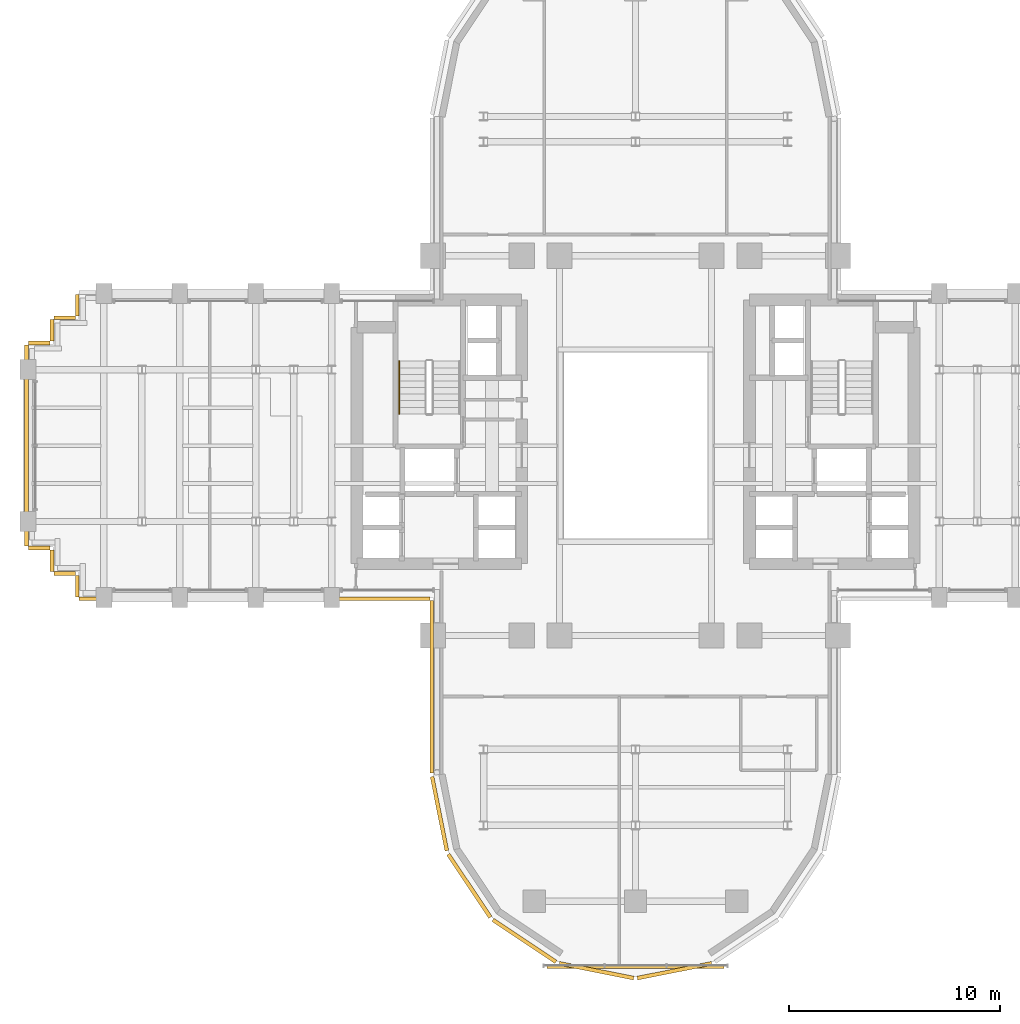
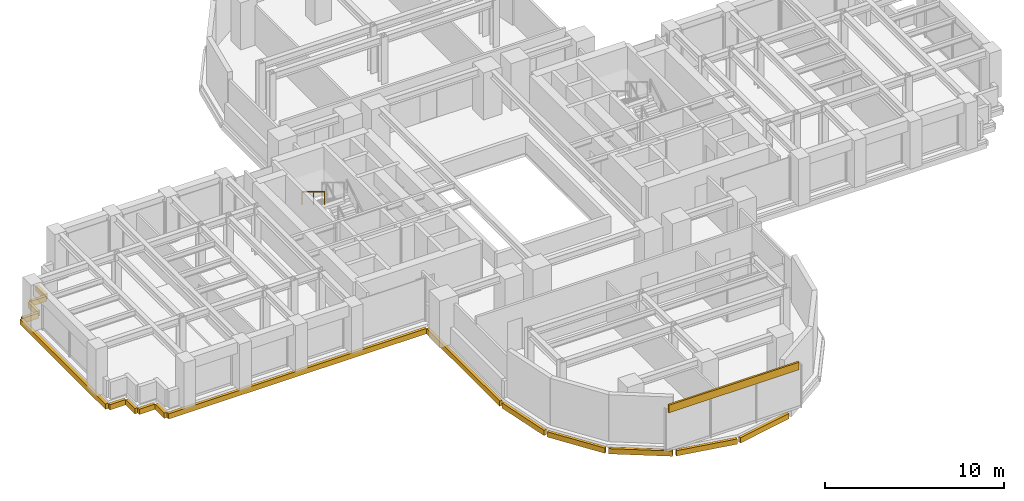
# One storey, part 13 of 16: 17 coverings, 1 railing.
"""IFC4 building model written with IfcOpenShell, lengths in metres."""

from ifc_helpers import new_model, si_unit, direction, frame, origin, origin_2d, place, context, subcontext, project, spatial, rectangle, extrude, source, transform, mapped, material, layer, layer_set, type_object, element, save


model = new_model("IFC4")

# Units and contexts
model_context = context("Model", 3, precision=1e-05, world=origin(), true_north=direction((0.0, 1.0)))
body_context = subcontext(model_context, "Body", "Model", "MODEL_VIEW")
ifc_project = project(units=[si_unit("LENGTHUNIT", "METRE"), si_unit("AREAUNIT", "SQUARE_METRE"), si_unit("VOLUMEUNIT", "CUBIC_METRE"), si_unit("PLANEANGLEUNIT", "RADIAN"), si_unit("MASSUNIT", "GRAM", prefix="KILO")], contexts=[model_context])

# Site, building, storey
site_placement = place(None, origin())
site = spatial("IfcSite", under=ifc_project, at=site_placement, CompositionType="ELEMENT")
building_placement = place(site_placement, origin())
building = spatial("IfcBuilding", under=site, at=building_placement, Name="Keilestroom Media Tower", CompositionType="ELEMENT")
storey_placement = place(building_placement, frame((0.0, 0.0, 81.60009765625)))
storey = spatial("IfcBuildingStorey", under=building, at=storey_placement, Name="L21", CompositionType="ELEMENT", Elevation=81.60009765625)

# Railing
ifc_material_1 = material(Name="Brushed Stainless Steel 1.4301", Category="steel")
railing_type = type_object("IfcRailingType", Name="Stair-Pitch-Handrail-920", PredefinedType="HANDRAIL", material=ifc_material_1)
railing_placement = place(storey_placement, frame((-11.2099609375, 3.99609375, 1.888671875)))
element("IfcRailing", 1, at=railing_placement, inside=storey, type_object=railing_type, Name="L21 ST-1 stair handrail 2", PredefinedType="HANDRAIL", context=body_context, shape_type="SweptSolid", body=[
    extrude(rectangle(XDim=0.048095703125, YDim=0.048095703125, at=origin_2d()), frame((0.0, 0.0, 0.8759765625), z_axis=(0.0, -0.855433747314, 0.517912255074), x_axis=(1.0, 0.0, 0.0)), (0.0, 0.0, 1.0), 2.91796875),
    extrude(rectangle(XDim=0.0419921875, YDim=0.0419921875, at=origin_2d()), origin(), (0.0, 0.0, 1.0), 0.84375),
    extrude(rectangle(XDim=0.0419921875, YDim=0.0419921875, at=origin_2d()), frame((0.0, -1.248046875, 0.755615234375)), (0.0, 0.0, 1.0), 0.84375),
    extrude(rectangle(XDim=0.0419921875, YDim=0.0419921875, at=origin_2d()), frame((0.0, -2.49609375, 1.51123046875)), (0.0, 0.0, 1.0), 0.84375),
])

# Coverings
ifc_material_2 = material(Name="Precast concrete C40/50", Category="concrete")
ifc_layer = layer(ifc_material_2, 0.1201171875)
ifc_layer_set = layer_set([ifc_layer], Name="Precast concrete C40/50")
covering_type = type_object("IfcCoveringType", Name="Exterior-Precast-Spandrel-Cladding-Panel-120", PredefinedType="CLADDING", material=ifc_layer_set)
shared_shape_1 = source(origin(), body_context, "Body", "SweptSolid", [
    extrude(rectangle(XDim=8.39990234375, YDim=0.1201171875, at=origin_2d()), origin(), (0.0, 0.0, 1.0), 0.52001953125),
])
covering_1_placement = place(storey_placement, frame((0.0, -24.719970703125, 2.68994140625), z_axis=(0.0, 0.0, 1.0), x_axis=(1.0, 0.0, 0.0)))
element("IfcCovering", 2, at=covering_1_placement, inside=storey, type_object=covering_type, Name="L21 Precast Spandrel Cladding S", PredefinedType="CLADDING", context=body_context, shape_type="MappedRepresentation", body=[
    mapped(shared_shape_1, transform((0.0, 0.0, 0.0), x_axis=(1.0, 0.0, 0.0), y_axis=(0.0, 1.0, 0.0), z_axis=(0.0, 0.0, 1.0), scale=1.0)),
])
shared_shape_2 = source(origin(), body_context, "Body", "SweptSolid", [
    extrude(rectangle(XDim=1.02001953125, YDim=0.179931640625, at=origin_2d()), origin(), (0.0, 0.0, 1.0), 0.360107421875),
])
for number, where, z_axis, x_axis, name in (
    (3, (-26.4599609375, -6.659912109375, -0.5400390625), (0.0, 0.0, 1.0), (0.0, 1.0, 0.0), "L21 Precast Slab-Edge Fascia Cornice 17"),
    (4, (-27.06005859375, -6.06005859375, -0.5400390625), (0.0, 0.0, 1.0), (-1.0, 0.0, 0.0), "L21 Precast Slab-Edge Fascia Cornice 18"),
    (5, (-27.659912109375, -5.4599609375, -0.5400390625), (0.0, 0.0, 1.0), (0.0, 1.0, 0.0), "L21 Precast Slab-Edge Fascia Cornice 19"),
    (6, (-28.260009765625, -4.860107421875, -0.5400390625), (0.0, 0.0, 1.0), (-1.0, 0.0, 0.0), "L21 Precast Slab-Edge Fascia Cornice 20"),
    (7, (-28.260009765625, 4.860107421875, -0.5400390625), (0.0, 0.0, 1.0), (1.0, 0.0, 0.0), "L21 Precast Slab-Edge Fascia Cornice 22"),
    (8, (-27.659912109375, 5.4599609375, -0.5400390625), (0.0, 0.0, 1.0), (0.0, 1.0, 0.0), "L21 Precast Slab-Edge Fascia Cornice 23"),
    (9, (-27.06005859375, 6.06005859375, -0.5400390625), (0.0, 0.0, 1.0), (1.0, 0.0, 0.0), "L21 Precast Slab-Edge Fascia Cornice 24"),
    (10, (-26.4599609375, 6.659912109375, -0.5400390625), (0.0, 0.0, 1.0), (0.0, 1.0, 0.0), "L21 Precast Slab-Edge Fascia Cornice 25"),
):
    element("IfcCovering", number, at=place(storey_placement, frame(where, z_axis=z_axis, x_axis=x_axis)), inside=storey, type_object=covering_type, Name=name, PredefinedType="CLADDING", context=body_context, shape_type="MappedRepresentation", body=[
        mapped(shared_shape_2, transform((0.0, 0.0, 0.0), x_axis=(1.0, 0.0, 0.0), y_axis=(0.0, 1.0, 0.0), z_axis=(0.0, 0.0, 1.0), scale=1.0)),
    ])
shared_shape_3 = source(origin(), body_context, "Body", "SweptSolid", [
    extrude(rectangle(XDim=16.6201171875, YDim=0.179931640625, at=origin_2d()), origin(), (0.0, 0.0, 1.0), 0.360107421875),
])
covering_2_placement = place(storey_placement, frame((-18.06005859375, -7.260009765625, -0.5400390625), z_axis=(0.0, 0.0, 1.0), x_axis=(-1.0, 0.0, 0.0)))
element("IfcCovering", 11, at=covering_2_placement, inside=storey, type_object=covering_type, Name="L21 Precast Slab-Edge Fascia Cornice 16", PredefinedType="CLADDING", context=body_context, shape_type="MappedRepresentation", body=[
    mapped(shared_shape_3, transform((0.0, 0.0, 0.0), x_axis=(1.0, 0.0, 0.0), y_axis=(0.0, 1.0, 0.0), z_axis=(0.0, 0.0, 1.0), scale=1.0)),
])
shared_shape_4 = source(origin(), body_context, "Body", "SweptSolid", [
    extrude(rectangle(XDim=8.166015625, YDim=0.179931640625, at=origin_2d()), origin(), (0.0, 0.0, 1.0), 0.360107421875),
])
covering_3_placement = place(storey_placement, frame((-9.659912109375, -11.43310546875, -0.5400390625), z_axis=(0.0, 0.0, 1.0), x_axis=(0.0, 1.0, 0.0)))
element("IfcCovering", 12, at=covering_3_placement, inside=storey, type_object=covering_type, Name="L21 Precast Slab-Edge Fascia Cornice 15", PredefinedType="CLADDING", context=body_context, shape_type="MappedRepresentation", body=[
    mapped(shared_shape_4, transform((0.0, 0.0, 0.0), x_axis=(1.0, 0.0, 0.0), y_axis=(0.0, 1.0, 0.0), z_axis=(0.0, 0.0, 1.0), scale=1.0)),
])
shared_shape_5 = source(origin(), body_context, "Body", "SweptSolid", [
    extrude(rectangle(XDim=3.58349609375, YDim=0.179931640625, at=origin_2d()), origin(), (0.0, 0.0, 1.0), 0.360107421875),
])
covering_4_placement = place(storey_placement, frame((-9.29296875, -17.45166015625, -0.5400390625), z_axis=(0.0, 0.0, 1.0), x_axis=(-0.195098880975, 0.980783577882, 0.0)))
element("IfcCovering", 13, at=covering_4_placement, inside=storey, type_object=covering_type, Name="L21 Precast Slab-Edge Fascia Cornice 14", PredefinedType="CLADDING", context=body_context, shape_type="MappedRepresentation", body=[
    mapped(shared_shape_5, transform((0.0, 0.0, 0.0), x_axis=(1.0, 0.0, 0.0), y_axis=(0.0, 1.0, 0.0), z_axis=(0.0, 0.0, 1.0), scale=1.0)),
])
shared_shape_6 = source(origin(), body_context, "Body", "SweptSolid", [
    extrude(rectangle(XDim=3.589599609375, YDim=0.179931640625, at=origin_2d()), origin(), (0.0, 0.0, 1.0), 0.360107421875),
])
for number, where, z_axis, x_axis, name in (
    (14, (1.8486328125, -24.893310546875, -0.5400390625), (0.0, 0.0, 1.0), (-0.980783577882, -0.195098880975, 0.0), "L21 Precast Slab-Edge Fascia Cornice 10"),
    (15, (-1.8486328125, -24.893310546875, -0.5400390625), (0.0, 0.0, 1.0), (-0.980783577882, 0.195098880975, 0.0), "L21 Precast Slab-Edge Fascia Cornice 11"),
    (16, (-5.264404296875, -23.478515625, -0.5400390625), (0.0, 0.0, 1.0), (-0.831466703332, 0.555574586577, 0.0), "L21 Precast Slab-Edge Fascia Cornice 12"),
    (17, (-7.878662109375, -20.8642578125, -0.5400390625), (0.0, 0.0, 1.0), (-0.555574586577, 0.831466703332, 0.0), "L21 Precast Slab-Edge Fascia Cornice 13"),
):
    element("IfcCovering", number, at=place(storey_placement, frame(where, z_axis=z_axis, x_axis=x_axis)), inside=storey, type_object=covering_type, Name=name, PredefinedType="CLADDING", context=body_context, shape_type="MappedRepresentation", body=[
        mapped(shared_shape_6, transform((0.0, 0.0, 0.0), x_axis=(1.0, 0.0, 0.0), y_axis=(0.0, 1.0, 0.0), z_axis=(0.0, 0.0, 1.0), scale=1.0)),
    ])
shared_shape_7 = source(origin(), body_context, "Body", "SweptSolid", [
    extrude(rectangle(XDim=9.5400390625, YDim=0.179931640625, at=origin_2d()), origin(), (0.0, 0.0, 1.0), 0.360107421875),
])
covering_5_placement = place(storey_placement, frame((-28.860107421875, 0.0, -0.5400390625), z_axis=(0.0, 0.0, 1.0), x_axis=(0.0, 1.0, 0.0)))
element("IfcCovering", 18, at=covering_5_placement, inside=storey, type_object=covering_type, Name="L21 Precast Slab-Edge Fascia Cornice 21", PredefinedType="CLADDING", context=body_context, shape_type="MappedRepresentation", body=[
    mapped(shared_shape_7, transform((0.0, 0.0, 0.0), x_axis=(1.0, 0.0, 0.0), y_axis=(0.0, 1.0, 0.0), z_axis=(0.0, 0.0, 1.0), scale=1.0)),
])

save(model, "model.ifc")
